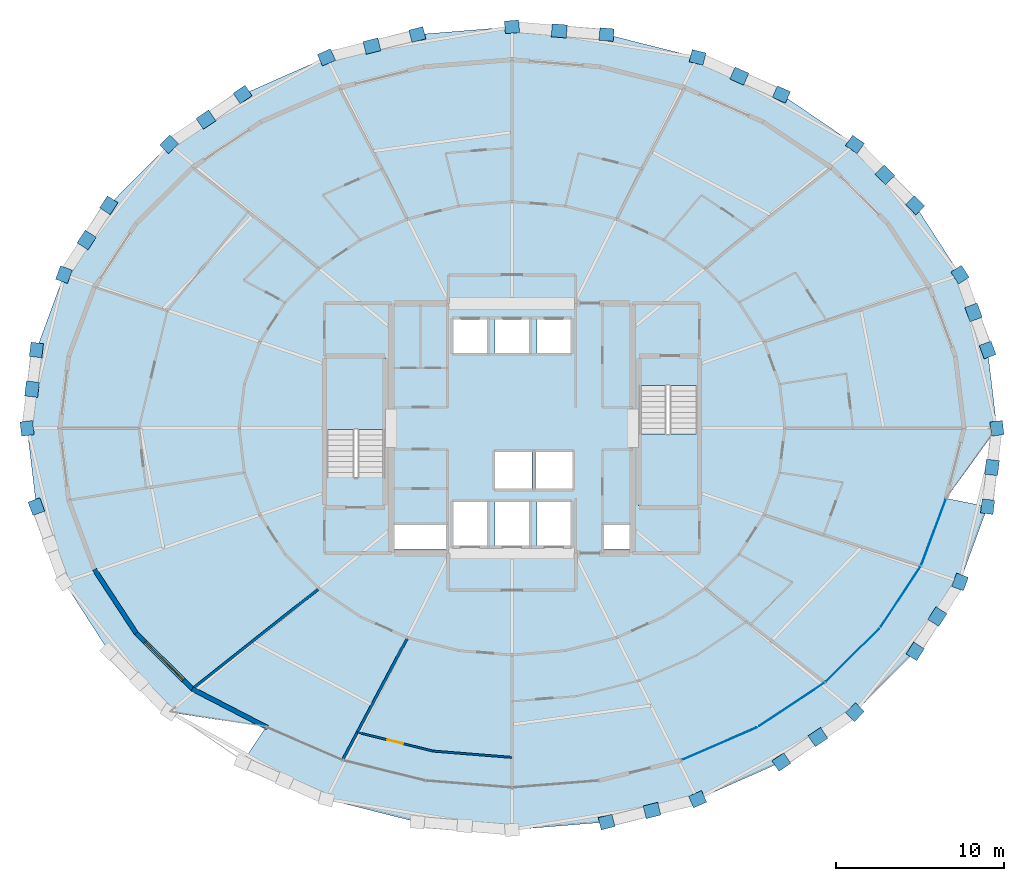
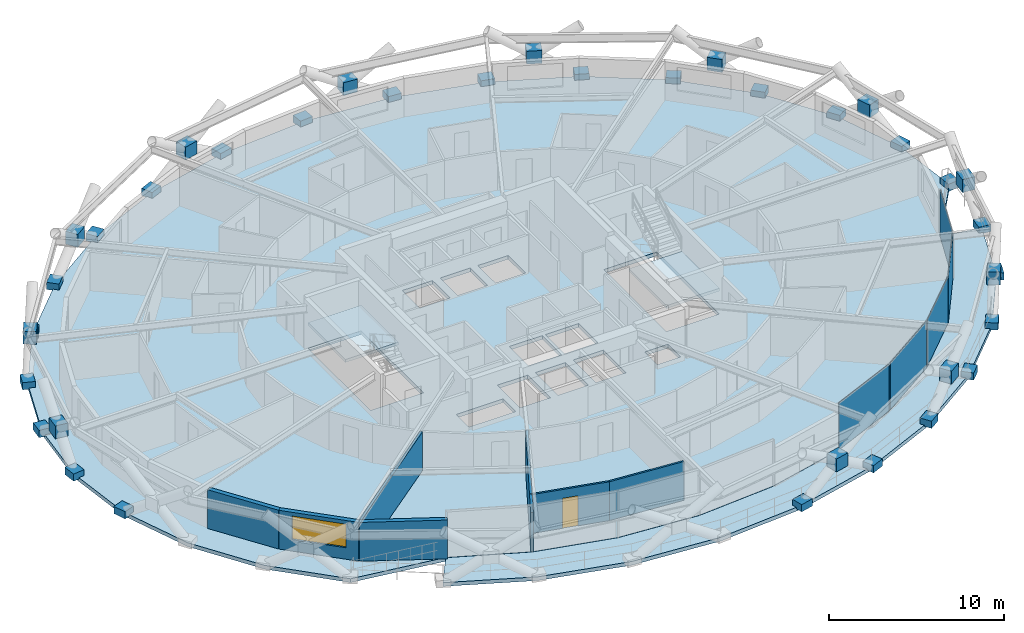
# One storey, part 13 of 21: 42 plates, 7 walls, 4 slabs, 1 door, 1 window, 2 openings, 3 elements without a shape of their own.
"""IFC4 building model written with IfcOpenShell, lengths in metres."""

from ifc_helpers import new_model, si_unit, direction, frame, frame_2d, origin, origin_2d, place, context, subcontext, project, spatial, polyline, rectangle, outline, extrude, material, layer, layer_set, type_object, element, fill, aggregate, save


model = new_model("IFC4")

# Units and contexts
model_context = context("Model", 3, precision=1e-05, world=origin(), true_north=direction((0.0, 1.0)))
body_context = subcontext(model_context, "Body", "Model", "MODEL_VIEW")
ifc_project = project(units=[si_unit("LENGTHUNIT", "METRE"), si_unit("AREAUNIT", "SQUARE_METRE"), si_unit("VOLUMEUNIT", "CUBIC_METRE"), si_unit("PLANEANGLEUNIT", "RADIAN"), si_unit("MASSUNIT", "GRAM", prefix="KILO")], contexts=[model_context])

# Site, building, storey
site_placement = place(None, origin())
site = spatial("IfcSite", under=ifc_project, at=site_placement, CompositionType="ELEMENT")
building_placement = place(site_placement, origin())
building = spatial("IfcBuilding", under=site, at=building_placement, Name="Veldorina Hangang Commons", CompositionType="ELEMENT")
storey_placement = place(building_placement, frame((0.0, 0.0, 91.60009765625)))
storey = spatial("IfcBuildingStorey", under=building, at=storey_placement, Name="L23", CompositionType="ELEMENT", Elevation=91.60009765625)

# Curtain wall, plates
ifc_material_1 = material(Name="Glass Low-E Triple IGU", Category="glass")
ifc_layer_1 = layer(ifc_material_1, 0.179931640625)
ifc_layer_set_1 = layer_set([ifc_layer_1], Name="Glass Low-E Triple IGU")
curtain_wall_type = type_object("IfcCurtainWallType", Name="CW-SYS-Z1", PredefinedType="NOTDEFINED", material=ifc_layer_set_1)
curtain_wall_placement = place(storey_placement, origin())
curtain_wall = element("IfcCurtainWall", 1, at=curtain_wall_placement, inside=storey, type_object=curtain_wall_type, Name="L23 unitised curtain wall CW-L23-R2", PredefinedType="NOTDEFINED")
ifc_layer_2 = layer(ifc_material_1, 0.0400390625)
ifc_layer_set_2 = layer_set([ifc_layer_2], Name="Glass Low-E Triple IGU")
plate_type_1 = type_object("IfcPlateType", Name="CW-PNL-VIS", PredefinedType="CURTAIN_PANEL", material=ifc_layer_set_2)
plate_1_placement = place(storey_placement, frame((44.385498046875, 5.19580078125, 0.014892578125), z_axis=(0.0, 0.0, 1.0), x_axis=(0.917414644732, 0.397932619462, 0.0)))
plate_1 = element("IfcPlate", 2, at=plate_1_placement, type_object=plate_type_1, Name="CW-L23-R2 facet 1 glazed vision panel", PredefinedType="CURTAIN_PANEL", context=body_context, shape_type="SweptSolid", body=[
    extrude(rectangle(XDim=4.79541015625, YDim=0.0400390625, at=origin_2d()), origin(), (0.0, 0.0, 1.0), 3.27001953125),
])
plate_2_placement = place(storey_placement, frame((48.668212890625, 7.51806640625, 0.014892578125), z_axis=(0.0, 0.0, 1.0), x_axis=(0.832321925888, 0.55429253259, 0.0)))
plate_2 = element("IfcPlate", 3, at=plate_2_placement, type_object=plate_type_1, Name="CW-L23-R2 facet 2 glazed vision panel", PredefinedType="CURTAIN_PANEL", context=body_context, shape_type="SweptSolid", body=[
    extrude(rectangle(XDim=4.626708984375, YDim=0.0400390625, at=origin_2d()), origin(), (0.0, 0.0, 1.0), 3.27001953125),
])
plate_3_placement = place(storey_placement, frame((52.310302734375, 10.473388671875, 0.014892578125), z_axis=(0.0, 0.0, 1.0), x_axis=(0.711057233748, 0.703134133957, 0.0)))
plate_3 = element("IfcPlate", 4, at=plate_3_placement, type_object=plate_type_1, Name="CW-L23-R2 facet 3 glazed vision panel", PredefinedType="CURTAIN_PANEL", context=body_context, shape_type="SweptSolid", body=[
    extrude(rectangle(XDim=4.4375, YDim=0.0400390625, at=origin_2d()), origin(), (0.0, 0.0, 1.0), 3.27001953125),
])
plate_4_placement = place(storey_placement, frame((55.171875, 13.948974609375, 0.014892578125), z_axis=(0.0, 0.0, 1.0), x_axis=(0.550072690737, 0.835116779202, 0.0)))
plate_4 = element("IfcPlate", 5, at=plate_4_placement, type_object=plate_type_1, Name="CW-L23-R2 facet 4 glazed vision panel", PredefinedType="CURTAIN_PANEL", context=body_context, shape_type="SweptSolid", body=[
    extrude(rectangle(XDim=4.25537109375, YDim=0.0400390625, at=origin_2d()), origin(), (0.0, 0.0, 1.0), 3.27001953125),
])
plate_5_placement = place(storey_placement, frame((57.14306640625, 17.810546875, 0.014892578125), z_axis=(0.0, 0.0, 1.0), x_axis=(0.350141988351, 0.936696636053, 0.0)))
plate_5 = element("IfcPlate", 6, at=plate_5_placement, type_object=plate_type_1, Name="CW-L23-R2 facet 5 glazed vision panel", PredefinedType="CURTAIN_PANEL", context=body_context, shape_type="SweptSolid", body=[
    extrude(rectangle(XDim=4.11083984375, YDim=0.0400390625, at=origin_2d()), origin(), (0.0, 0.0, 1.0), 3.27001953125),
])
aggregate(curtain_wall, [plate_1, plate_2, plate_3, plate_4, plate_5])

# Plates
ifc_material_2 = material(Name="Steel SM460-TMC", Category="steel")
ifc_layer_3 = layer(ifc_material_2, 0.035888671875)
ifc_layer_set_3 = layer_set([ifc_layer_3], Name="Steel SM460-TMC")
plate_type_2 = type_object("IfcPlateType", Name="PL-STAR-36", PredefinedType="USERDEFINED", material=ifc_layer_set_3)
for number, where, z_axis, x_axis, name in (
    (7, (60.92138671875, 24.0, -0.090087890625), (0.0, 0.0, 1.0), (-0.118126675414, 0.992998534015, 0.0), "L23 diagrid star-node gusset plate 00"),
    (8, (60.36572265625, 28.67138671875, -0.090087890625), (0.0, 0.0, 1.0), (-0.34402025555, 0.93896222702, 0.0), "L23 diagrid star-node gusset plate 01"),
):
    element("IfcPlate", number, at=place(storey_placement, frame(where, z_axis=z_axis, x_axis=x_axis)), inside=storey, type_object=plate_type_2, Name=name, ObjectType="GUSSET PLATE", PredefinedType="USERDEFINED", context=body_context, shape_type="SweptSolid", body=[
        extrude(rectangle(XDim=0.85009765625, YDim=0.75, at=origin_2d()), origin(), (0.0, 0.0, 1.0), 0.5),
    ])
plate_6_placement = place(storey_placement, frame((59.527587890625, 30.9140625, 1.350830078125), z_axis=(0.0, 0.0, 1.0), x_axis=(-0.34402025555, 0.93896222702, 0.0)))
element("IfcPlate", 9, at=plate_6_placement, inside=storey, type_object=plate_type_2, Name="L23 diagrid X-crossing star-node gusset plate 01", ObjectType="GUSSET PLATE", PredefinedType="USERDEFINED", context=body_context, shape_type="SweptSolid", body=[
    extrude(rectangle(XDim=0.89990234375, YDim=0.780029296875, at=origin_2d()), origin(), (0.0, 0.0, 1.0), 0.89990234375),
])
for number, where, z_axis, x_axis, name in (
    (10, (58.719970703125, 33.163330078125, -0.090087890625), (0.0, 0.0, 1.0), (-0.542397548724, 0.84012195492, 0.0), "L23 diagrid star-node gusset plate 02"),
    (11, (56.04736328125, 37.302978515625, -0.090087890625), (0.0, 0.0, 1.0), (-0.703977538272, 0.710222236775, 0.0), "L23 diagrid star-node gusset plate 03"),
):
    element("IfcPlate", number, at=place(storey_placement, frame(where, z_axis=z_axis, x_axis=x_axis)), inside=storey, type_object=plate_type_2, Name=name, ObjectType="GUSSET PLATE", PredefinedType="USERDEFINED", context=body_context, shape_type="SweptSolid", body=[
        extrude(rectangle(XDim=0.85009765625, YDim=0.75, at=origin_2d()), origin(), (0.0, 0.0, 1.0), 0.5),
    ])
plate_7_placement = place(storey_placement, frame((54.236572265625, 39.1103515625, 1.350830078125), z_axis=(0.0, 0.0, 1.0), x_axis=(-0.703977538272, 0.710222236775, 0.0)))
element("IfcPlate", 12, at=plate_7_placement, inside=storey, type_object=plate_type_2, Name="L23 diagrid X-crossing star-node gusset plate 03", ObjectType="GUSSET PLATE", PredefinedType="USERDEFINED", context=body_context, shape_type="SweptSolid", body=[
    extrude(rectangle(XDim=0.89990234375, YDim=0.780029296875, at=origin_2d()), origin(), (0.0, 0.0, 1.0), 0.89990234375),
])
for number, where, z_axis, x_axis, name in (
    (13, (52.45068359375, 40.931640625, -0.090087890625), (0.0, 0.0, 1.0), (-0.827139430973, 0.561996763095, 0.0), "L23 diagrid star-node gusset plate 04"),
    (14, (48.06787109375, 43.909423828125, -0.090087890625), (0.0, 0.0, 1.0), (-0.914451835585, 0.404694749652, 0.0), "L23 diagrid star-node gusset plate 05"),
):
    element("IfcPlate", number, at=place(storey_placement, frame(where, z_axis=z_axis, x_axis=x_axis)), inside=storey, type_object=plate_type_2, Name=name, ObjectType="GUSSET PLATE", PredefinedType="USERDEFINED", context=body_context, shape_type="SweptSolid", body=[
        extrude(rectangle(XDim=0.85009765625, YDim=0.75, at=origin_2d()), origin(), (0.0, 0.0, 1.0), 0.5),
    ])
plate_8_placement = place(storey_placement, frame((45.560302734375, 45.006103515625, 1.350830078125), z_axis=(0.0, 0.0, 1.0), x_axis=(-0.914451835585, 0.404694749652, 0.0)))
element("IfcPlate", 15, at=plate_8_placement, inside=storey, type_object=plate_type_2, Name="L23 diagrid X-crossing star-node gusset plate 05", ObjectType="GUSSET PLATE", PredefinedType="USERDEFINED", context=body_context, shape_type="SweptSolid", body=[
    extrude(rectangle(XDim=0.89990234375, YDim=0.780029296875, at=origin_2d()), origin(), (0.0, 0.0, 1.0), 0.89990234375),
])
for number, where, z_axis, x_axis, name in (
    (16, (43.06787109375, 46.122314453125, -0.090087890625), (0.0, 0.0, 1.0), (-0.969880518462, 0.243581156718, 0.0), "L23 diagrid star-node gusset plate 06"),
    (17, (37.642333984375, 47.48486328125, -0.090087890625), (0.0, 0.0, 1.0), (-0.996691511297, 0.081277495711, 0.0), "L23 diagrid star-node gusset plate 07"),
):
    element("IfcPlate", number, at=place(storey_placement, frame(where, z_axis=z_axis, x_axis=x_axis)), inside=storey, type_object=plate_type_2, Name=name, ObjectType="GUSSET PLATE", PredefinedType="USERDEFINED", context=body_context, shape_type="SweptSolid", body=[
        extrude(rectangle(XDim=0.85009765625, YDim=0.75, at=origin_2d()), origin(), (0.0, 0.0, 1.0), 0.5),
    ])
plate_9_placement = place(storey_placement, frame((34.819580078125, 47.703857421875, 1.350830078125), z_axis=(0.0, 0.0, 1.0), x_axis=(-0.996691511297, 0.081277495711, 0.0)))
element("IfcPlate", 18, at=plate_9_placement, inside=storey, type_object=plate_type_2, Name="L23 diagrid X-crossing star-node gusset plate 07", ObjectType="GUSSET PLATE", PredefinedType="USERDEFINED", context=body_context, shape_type="SweptSolid", body=[
    extrude(rectangle(XDim=0.89990234375, YDim=0.780029296875, at=origin_2d()), origin(), (0.0, 0.0, 1.0), 0.89990234375),
])
for number, where, z_axis, x_axis, name in (
    (19, (32.0, 47.945068359375, -0.090087890625), (0.0, 0.0, 1.0), (-0.996691511297, -0.081277495711, 0.0), "L23 diagrid star-node gusset plate 08"),
    (20, (26.357666015625, 47.48486328125, -0.090087890625), (0.0, 0.0, 1.0), (-0.969880518462, -0.243581156718, 0.0), "L23 diagrid star-node gusset plate 09"),
):
    element("IfcPlate", number, at=place(storey_placement, frame(where, z_axis=z_axis, x_axis=x_axis)), inside=storey, type_object=plate_type_2, Name=name, ObjectType="GUSSET PLATE", PredefinedType="USERDEFINED", context=body_context, shape_type="SweptSolid", body=[
        extrude(rectangle(XDim=0.85009765625, YDim=0.75, at=origin_2d()), origin(), (0.0, 0.0, 1.0), 0.5),
    ])
plate_10_placement = place(storey_placement, frame((23.649658203125, 46.792724609375, 1.350830078125), z_axis=(0.0, 0.0, 1.0), x_axis=(-0.969880518462, -0.243581156718, 0.0)))
element("IfcPlate", 21, at=plate_10_placement, inside=storey, type_object=plate_type_2, Name="L23 diagrid X-crossing star-node gusset plate 09", ObjectType="GUSSET PLATE", PredefinedType="USERDEFINED", context=body_context, shape_type="SweptSolid", body=[
    extrude(rectangle(XDim=0.89990234375, YDim=0.780029296875, at=origin_2d()), origin(), (0.0, 0.0, 1.0), 0.89990234375),
])
for number, where, z_axis, x_axis, name in (
    (22, (20.93212890625, 46.122314453125, -0.090087890625), (0.0, 0.0, 1.0), (-0.914451835585, -0.404694749652, 0.0), "L23 diagrid star-node gusset plate 10"),
    (23, (15.93212890625, 43.909423828125, -0.090087890625), (0.0, 0.0, 1.0), (-0.827139430973, -0.561996763095, 0.0), "L23 diagrid star-node gusset plate 11"),
):
    element("IfcPlate", number, at=place(storey_placement, frame(where, z_axis=z_axis, x_axis=x_axis)), inside=storey, type_object=plate_type_2, Name=name, ObjectType="GUSSET PLATE", PredefinedType="USERDEFINED", context=body_context, shape_type="SweptSolid", body=[
        extrude(rectangle(XDim=0.85009765625, YDim=0.75, at=origin_2d()), origin(), (0.0, 0.0, 1.0), 0.5),
    ])
plate_11_placement = place(storey_placement, frame((13.7509765625, 42.411865234375, 1.350830078125), z_axis=(0.0, 0.0, 1.0), x_axis=(-0.827139430973, -0.561996763095, 0.0)))
element("IfcPlate", 24, at=plate_11_placement, inside=storey, type_object=plate_type_2, Name="L23 diagrid X-crossing star-node gusset plate 11", ObjectType="GUSSET PLATE", PredefinedType="USERDEFINED", context=body_context, shape_type="SweptSolid", body=[
    extrude(rectangle(XDim=0.89990234375, YDim=0.780029296875, at=origin_2d()), origin(), (0.0, 0.0, 1.0), 0.89990234375),
])
for number, where, z_axis, x_axis, name in (
    (25, (11.54931640625, 40.931640625, -0.090087890625), (0.0, 0.0, 1.0), (-0.703977538272, -0.710222236775, 0.0), "L23 diagrid star-node gusset plate 12"),
    (26, (7.95263671875, 37.302978515625, -0.090087890625), (0.0, 0.0, 1.0), (-0.542397548724, -0.84012195492, 0.0), "L23 diagrid star-node gusset plate 13"),
):
    element("IfcPlate", number, at=place(storey_placement, frame(where, z_axis=z_axis, x_axis=x_axis)), inside=storey, type_object=plate_type_2, Name=name, ObjectType="GUSSET PLATE", PredefinedType="USERDEFINED", context=body_context, shape_type="SweptSolid", body=[
        extrude(rectangle(XDim=0.85009765625, YDim=0.75, at=origin_2d()), origin(), (0.0, 0.0, 1.0), 0.5),
    ])
plate_12_placement = place(storey_placement, frame((6.630615234375, 35.227783203125, 1.350830078125), z_axis=(0.0, 0.0, 1.0), x_axis=(-0.542397548724, -0.84012195492, 0.0)))
element("IfcPlate", 27, at=plate_12_placement, inside=storey, type_object=plate_type_2, Name="L23 diagrid X-crossing star-node gusset plate 13", ObjectType="GUSSET PLATE", PredefinedType="USERDEFINED", context=body_context, shape_type="SweptSolid", body=[
    extrude(rectangle(XDim=0.89990234375, YDim=0.780029296875, at=origin_2d()), origin(), (0.0, 0.0, 1.0), 0.89990234375),
])
for number, where, z_axis, x_axis, name in (
    (28, (5.280029296875, 33.163330078125, -0.090087890625), (0.0, 0.0, 1.0), (-0.34402025555, -0.93896222702, 0.0), "L23 diagrid star-node gusset plate 14"),
    (29, (3.63427734375, 28.67138671875, -0.090087890625), (0.0, 0.0, 1.0), (-0.118126675414, -0.992998534015, 0.0), "L23 diagrid star-node gusset plate 15"),
):
    element("IfcPlate", number, at=place(storey_placement, frame(where, z_axis=z_axis, x_axis=x_axis)), inside=storey, type_object=plate_type_2, Name=name, ObjectType="GUSSET PLATE", PredefinedType="USERDEFINED", context=body_context, shape_type="SweptSolid", body=[
        extrude(rectangle(XDim=0.85009765625, YDim=0.75, at=origin_2d()), origin(), (0.0, 0.0, 1.0), 0.5),
    ])
plate_13_placement = place(storey_placement, frame((3.372314453125, 26.334716796875, 1.350830078125), z_axis=(0.0, 0.0, 1.0), x_axis=(-0.118126675414, -0.992998534015, 0.0)))
element("IfcPlate", 30, at=plate_13_placement, inside=storey, type_object=plate_type_2, Name="L23 diagrid X-crossing star-node gusset plate 15", ObjectType="GUSSET PLATE", PredefinedType="USERDEFINED", context=body_context, shape_type="SweptSolid", body=[
    extrude(rectangle(XDim=0.89990234375, YDim=0.780029296875, at=origin_2d()), origin(), (0.0, 0.0, 1.0), 0.89990234375),
])
for number, where, z_axis, x_axis, name in (
    (31, (3.07861328125, 24.0, -0.090087890625), (0.0, 0.0, 1.0), (0.118126675414, -0.992998534015, 0.0), "L23 diagrid star-node gusset plate 16"),
    (32, (3.63427734375, 19.32861328125, -0.090087890625), (0.0, 0.0, 1.0), (0.34402025555, -0.93896222702, 0.0), "L23 diagrid star-node gusset plate 17"),
    (33, (37.642333984375, 0.51513671875, -0.090087890625), (0.0, 0.0, 1.0), (0.969880518462, 0.243581156718, 0.0), "L23 diagrid star-node gusset plate 25"),
):
    element("IfcPlate", number, at=place(storey_placement, frame(where, z_axis=z_axis, x_axis=x_axis)), inside=storey, type_object=plate_type_2, Name=name, ObjectType="GUSSET PLATE", PredefinedType="USERDEFINED", context=body_context, shape_type="SweptSolid", body=[
        extrude(rectangle(XDim=0.85009765625, YDim=0.75, at=origin_2d()), origin(), (0.0, 0.0, 1.0), 0.5),
    ])
plate_14_placement = place(storey_placement, frame((40.350341796875, 1.207275390625, 1.350830078125), z_axis=(0.0, 0.0, 1.0), x_axis=(0.969880518462, 0.243581156718, 0.0)))
element("IfcPlate", 34, at=plate_14_placement, inside=storey, type_object=plate_type_2, Name="L23 diagrid X-crossing star-node gusset plate 25", ObjectType="GUSSET PLATE", PredefinedType="USERDEFINED", context=body_context, shape_type="SweptSolid", body=[
    extrude(rectangle(XDim=0.89990234375, YDim=0.780029296875, at=origin_2d()), origin(), (0.0, 0.0, 1.0), 0.89990234375),
])
for number, where, z_axis, x_axis, name in (
    (35, (43.06787109375, 1.877685546875, -0.090087890625), (0.0, 0.0, 1.0), (0.914451835585, 0.404694749652, 0.0), "L23 diagrid star-node gusset plate 26"),
    (36, (48.06787109375, 4.090576171875, -0.090087890625), (0.0, 0.0, 1.0), (0.827139430973, 0.561996763095, 0.0), "L23 diagrid star-node gusset plate 27"),
):
    element("IfcPlate", number, at=place(storey_placement, frame(where, z_axis=z_axis, x_axis=x_axis)), inside=storey, type_object=plate_type_2, Name=name, ObjectType="GUSSET PLATE", PredefinedType="USERDEFINED", context=body_context, shape_type="SweptSolid", body=[
        extrude(rectangle(XDim=0.85009765625, YDim=0.75, at=origin_2d()), origin(), (0.0, 0.0, 1.0), 0.5),
    ])
plate_15_placement = place(storey_placement, frame((50.2490234375, 5.588134765625, 1.350830078125), z_axis=(0.0, 0.0, 1.0), x_axis=(0.827139430973, 0.561996763095, 0.0)))
element("IfcPlate", 37, at=plate_15_placement, inside=storey, type_object=plate_type_2, Name="L23 diagrid X-crossing star-node gusset plate 27", ObjectType="GUSSET PLATE", PredefinedType="USERDEFINED", context=body_context, shape_type="SweptSolid", body=[
    extrude(rectangle(XDim=0.89990234375, YDim=0.780029296875, at=origin_2d()), origin(), (0.0, 0.0, 1.0), 0.89990234375),
])
for number, where, z_axis, x_axis, name in (
    (38, (52.45068359375, 7.068359375, -0.090087890625), (0.0, 0.0, 1.0), (0.703977538272, 0.710222236775, 0.0), "L23 diagrid star-node gusset plate 28"),
    (39, (56.04736328125, 10.697021484375, -0.090087890625), (0.0, 0.0, 1.0), (0.542397548724, 0.84012195492, 0.0), "L23 diagrid star-node gusset plate 29"),
):
    element("IfcPlate", number, at=place(storey_placement, frame(where, z_axis=z_axis, x_axis=x_axis)), inside=storey, type_object=plate_type_2, Name=name, ObjectType="GUSSET PLATE", PredefinedType="USERDEFINED", context=body_context, shape_type="SweptSolid", body=[
        extrude(rectangle(XDim=0.85009765625, YDim=0.75, at=origin_2d()), origin(), (0.0, 0.0, 1.0), 0.5),
    ])
plate_16_placement = place(storey_placement, frame((57.369384765625, 12.772216796875, 1.350830078125), z_axis=(0.0, 0.0, 1.0), x_axis=(0.542397548724, 0.84012195492, 0.0)))
element("IfcPlate", 40, at=plate_16_placement, inside=storey, type_object=plate_type_2, Name="L23 diagrid X-crossing star-node gusset plate 29", ObjectType="GUSSET PLATE", PredefinedType="USERDEFINED", context=body_context, shape_type="SweptSolid", body=[
    extrude(rectangle(XDim=0.89990234375, YDim=0.780029296875, at=origin_2d()), origin(), (0.0, 0.0, 1.0), 0.89990234375),
])
for number, where, z_axis, x_axis, name in (
    (41, (58.719970703125, 14.836669921875, -0.090087890625), (0.0, 0.0, 1.0), (0.34402025555, 0.93896222702, 0.0), "L23 diagrid star-node gusset plate 30"),
    (42, (60.36572265625, 19.32861328125, -0.090087890625), (0.0, 0.0, 1.0), (0.118126675414, 0.992998534015, 0.0), "L23 diagrid star-node gusset plate 31"),
):
    element("IfcPlate", number, at=place(storey_placement, frame(where, z_axis=z_axis, x_axis=x_axis)), inside=storey, type_object=plate_type_2, Name=name, ObjectType="GUSSET PLATE", PredefinedType="USERDEFINED", context=body_context, shape_type="SweptSolid", body=[
        extrude(rectangle(XDim=0.85009765625, YDim=0.75, at=origin_2d()), origin(), (0.0, 0.0, 1.0), 0.5),
    ])
plate_17_placement = place(storey_placement, frame((60.627685546875, 21.665283203125, 1.350830078125), z_axis=(0.0, 0.0, 1.0), x_axis=(0.118126675414, 0.992998534015, 0.0)))
element("IfcPlate", 43, at=plate_17_placement, inside=storey, type_object=plate_type_2, Name="L23 diagrid X-crossing star-node gusset plate 31", ObjectType="GUSSET PLATE", PredefinedType="USERDEFINED", context=body_context, shape_type="SweptSolid", body=[
    extrude(rectangle(XDim=0.89990234375, YDim=0.780029296875, at=origin_2d()), origin(), (0.0, 0.0, 1.0), 0.89990234375),
])

# Slabs
ifc_material_3 = material(Name="Concrete C40/50", Category="concrete")
ifc_layer_4 = layer(ifc_material_3, 0.260009765625)
ifc_layer_set_4 = layer_set([ifc_layer_4], Name="Concrete C40/50")
slab_type_1 = type_object("IfcSlabType", Name="SL-FLR-260", PredefinedType="FLOOR", material=ifc_layer_set_4)
slab_1_placement = place(storey_placement, frame((0.0, 0.0, -0.260009765625)))
element("IfcSlab", 44, at=slab_1_placement, inside=storey, type_object=slab_type_1, Name="L23 tower structural floor slab", PredefinedType="FLOOR", context=body_context, shape_type="SweptSolid", body=[
    extrude(outline(polyline([(60.92138671875, 24.0), (60.36572265625, 28.67138671875), (58.719970703125, 33.163330078125), (56.04736328125, 37.302978515625), (52.45068359375, 40.931640625), (48.06787109375, 43.909423828125), (43.06787109375, 46.122314453125), (37.642333984375, 47.48486328125), (32.0, 47.945068359375), (26.357666015625, 47.48486328125), (20.93212890625, 46.122314453125), (15.93212890625, 43.909423828125), (11.54931640625, 40.931640625), (7.95263671875, 37.302978515625), (5.280029296875, 33.163330078125), (3.63427734375, 28.67138671875), (3.07861328125, 24.0), (3.63427734375, 19.32861328125), (5.280029296875, 14.836669921875), (7.95263671875, 10.697021484375), (11.54931640625, 7.068359375), (17.33203125, 6.185791015625), (21.896484375, 4.205810546875), (26.849365234375, 2.98681640625), (32.0, 2.574951171875), (37.150634765625, 2.98681640625), (42.103515625, 4.205810546875), (46.66796875, 6.185791015625), (50.668701171875, 8.85009765625), (53.951904296875, 12.096923828125), (56.391845703125, 15.801025390625), (57.894287109375, 19.8203125), (60.92138671875, 24.0)]), holes=[polyline([(20.949951171875, 21.05810546875), (20.949951171875, 28.199951171875), (24.449951171875, 28.199951171875), (24.449951171875, 21.05810546875), (20.949951171875, 21.05810546875)]), polyline([(43.050048828125, 26.5419921875), (43.050048828125, 19.39990234375), (39.550048828125, 19.39990234375), (39.550048828125, 26.5419921875), (43.050048828125, 26.5419921875)]), polyline([(28.5, 30.5), (30.5, 30.5), (30.5, 28.5), (28.5, 28.5), (28.5, 30.5)]), polyline([(31.0, 30.5), (33.0, 30.5), (33.0, 28.5), (31.0, 28.5), (31.0, 30.5)]), polyline([(33.5, 30.5), (35.5, 30.5), (35.5, 28.5), (33.5, 28.5), (33.5, 30.5)]), polyline([(31.0, 22.60009765625), (33.199951171875, 22.60009765625), (33.199951171875, 20.39990234375), (31.0, 20.39990234375), (31.0, 22.60009765625)]), polyline([(33.39990234375, 22.60009765625), (35.60009765625, 22.60009765625), (35.60009765625, 20.39990234375), (33.39990234375, 20.39990234375), (33.39990234375, 22.60009765625)]), polyline([(28.5, 19.60009765625), (30.5, 19.60009765625), (30.5, 17.0), (28.5, 17.0), (28.5, 19.60009765625)]), polyline([(31.0, 19.60009765625), (33.0, 19.60009765625), (33.0, 17.0), (31.0, 17.0), (31.0, 19.60009765625)]), polyline([(33.5, 19.60009765625), (35.5, 19.60009765625), (35.5, 17.0), (33.5, 17.0), (33.5, 19.60009765625)]), polyline([(25.0, 18.25), (28.10009765625, 18.25), (28.10009765625, 16.800048828125), (25.0, 16.800048828125), (25.0, 18.25)]), polyline([(37.449951171875, 18.25), (39.0, 18.25), (39.0, 16.800048828125), (37.449951171875, 16.800048828125), (37.449951171875, 18.25)])]), origin(), (0.0, 0.0, 1.0), 0.260009765625),
])
slab_2_placement = place(storey_placement, frame((0.0, 0.0, -0.260009765625)))
element("IfcSlab", 45, at=slab_2_placement, inside=storey, type_object=slab_type_1, Name="L23 sky-garden loggia outdoor slab", PredefinedType="FLOOR", context=body_context, shape_type="SweptSolid", body=[
    extrude(outline(polyline([(60.36572265625, 19.32861328125), (58.719970703125, 14.836669921875), (56.04736328125, 10.697021484375), (52.45068359375, 7.068359375), (48.06787109375, 4.090576171875), (43.06787109375, 1.877685546875), (37.642333984375, 0.51513671875), (32.0, 0.054931640625), (26.357666015625, 0.51513671875), (20.93212890625, 1.877685546875), (15.93212890625, 4.090576171875), (17.322998046875, 6.172119140625), (17.327880859375, 6.17138671875), (21.890625, 4.192138671875), (21.891845703125, 4.191650390625), (21.89306640625, 4.19140625), (26.845703125, 2.97216796875), (26.846923828125, 2.971923828125), (26.84814453125, 2.9716796875), (31.998779296875, 2.56005859375), (32.0, 2.56005859375), (32.001220703125, 2.56005859375), (37.15185546875, 2.9716796875), (37.153076171875, 2.971923828125), (37.154296875, 2.97216796875), (42.10693359375, 4.19140625), (42.108154296875, 4.191650390625), (42.109375, 4.192138671875), (46.673828125, 6.172119140625), (46.675048828125, 6.172607421875), (46.67626953125, 6.17333984375), (50.677001953125, 8.837646484375), (50.67822265625, 8.838623046875), (50.67919921875, 8.839599609375), (53.96240234375, 12.086181640625), (53.963623046875, 12.08740234375), (53.964599609375, 12.088623046875), (56.404296875, 15.792724609375), (56.4052734375, 15.794189453125), (56.406005859375, 15.795654296875), (57.907470703125, 19.81298828125), (57.910400390625, 19.81689453125), (60.36572265625, 19.32861328125)])), origin(), (0.0, 0.0, 1.0), 0.260009765625),
])

# Stair, slab
stair_type = type_object("IfcStairType", Name="STR-DOG-1650-20R", PredefinedType="HALF_TURN_STAIR", material=ifc_material_3)
stair_1_placement = place(storey_placement, origin())
stair_1 = element("IfcStair", 46, at=stair_1_placement, inside=storey, type_object=stair_type, Name="L23 Exit stair ST-1", PredefinedType="HALF_TURN_STAIR")
ifc_layer_5 = layer(ifc_material_3, 0.199951171875)
ifc_layer_set_5 = layer_set([ifc_layer_5], Name="Concrete C40/50")
slab_type_2 = type_object("IfcSlabType", Name="SL-LND-200", PredefinedType="LANDING", material=ifc_layer_set_5)
slab_3_placement = place(storey_placement, frame((0.0, 0.0, 1.599853515625)))
slab_3 = element("IfcSlab", 47, at=slab_3_placement, type_object=slab_type_2, Name="ST-1 landing 1", PredefinedType="LANDING", context=body_context, shape_type="SweptSolid", body=[
    extrude(outline(polyline([(24.449951171875, 23.929931640625), (24.449951171875, 28.199951171875), (20.949951171875, 28.199951171875), (20.949951171875, 23.929931640625), (24.449951171875, 23.929931640625)])), origin(), (0.0, 0.0, 1.0), 0.199951171875),
])
aggregate(stair_1, [slab_3])

stair_2_placement = place(storey_placement, origin())
stair_2 = element("IfcStair", 48, at=stair_2_placement, inside=storey, type_object=stair_type, Name="L23 Exit stair ST-2", PredefinedType="HALF_TURN_STAIR")
slab_4_placement = place(storey_placement, frame((0.0, 0.0, 1.599853515625)))
slab_4 = element("IfcSlab", 49, at=slab_4_placement, type_object=slab_type_2, Name="ST-2 landing 1", PredefinedType="LANDING", context=body_context, shape_type="SweptSolid", body=[
    extrude(outline(polyline([(39.550048828125, 23.669921875), (39.550048828125, 19.39990234375), (43.050048828125, 19.39990234375), (43.050048828125, 23.669921875), (39.550048828125, 23.669921875)])), origin(), (0.0, 0.0, 1.0), 0.199951171875),
])
aggregate(stair_2, [slab_4])

# Wall
ifc_material_4 = material(Name="Stone Roman Travertine", Category="masonry")
ifc_layer_6 = layer(ifc_material_4, 0.280029296875)
ifc_layer_set_6 = layer_set([ifc_layer_6], Name="Stone Roman Travertine")
wall_type_1 = type_object("IfcWallType", Name="EW-TRAV-280", PredefinedType="STANDARD", material=ifc_layer_set_6)
wall_1_placement = place(storey_placement, frame((7.0908203125, 15.586669921875, 0.0), z_axis=(0.0, 0.0, 1.0), x_axis=(0.548224545432, -0.836331183076, 0.0)))
element("IfcWall", 50, at=wall_1_placement, inside=storey, type_object=wall_type_1, Name="L23 travertine facade wall 18", PredefinedType="STANDARD", context=body_context, shape_type="SweptSolid", body=[
    extrude(rectangle(XDim=4.544677734375, YDim=0.280029296875, at=frame_2d((2.2724609375, 0.0))), origin(), (0.0, 0.0, 1.0), 2.7099609375),
])

# Wall, opening, window
wall_2_placement = place(storey_placement, frame((9.582275390625, 11.785888671875, 0.0), z_axis=(0.0, 0.0, 1.0), x_axis=(0.709375776042, -0.704830482006, 0.0)))
wall_2 = element("IfcWall", 51, at=wall_2_placement, inside=storey, type_object=wall_type_1, Name="L23 travertine facade wall 19", PredefinedType="STANDARD", context=body_context, shape_type="SweptSolid", body=[
    extrude(rectangle(XDim=4.726806640625, YDim=0.280029296875, at=frame_2d((2.36328125, 0.0))), origin(), (0.0, 0.0, 1.0), 2.7099609375),
])
opening_1_placement = place(wall_2_placement, frame((0.76318359375, 0.0, 0.800048828125)))
opening_1 = element("IfcOpeningElement", 52, at=opening_1_placement, cuts=wall_2, Name="Opening W-01", PredefinedType="OPENING", context=body_context, shape_type="SweptSolid", body=[
    extrude(rectangle(XDim=3.199951171875, YDim=1.64990234375, at=frame_2d((1.60009765625, 0.824951171875))), frame((0.0, 0.14990234375, 0.0), z_axis=(0.0, -1.0, 0.0), x_axis=(1.0, 0.0, 0.0)), (0.0, 0.0, 1.0), 0.300048828125),
])
window_type = type_object("IfcWindowType", Name="WIN-TWR-3200", PartitioningType="SINGLE_PANEL", PredefinedType="WINDOW", material=ifc_material_1)
window_placement = place(opening_1_placement, origin())
window = element("IfcWindow", 53, at=window_placement, inside=storey, type_object=window_type, Name="L23 facade window 19", OverallHeight=1.64990234375, OverallWidth=3.199951171875, PartitioningType="SINGLE_PANEL", PredefinedType="WINDOW", context=body_context, shape_type="SweptSolid", body=[
    extrude(rectangle(XDim=3.199951171875, YDim=1.64990234375, at=frame_2d((1.60009765625, 0.824951171875))), frame((0.0, 0.030029296875, 0.0), z_axis=(0.0, -1.0, 0.0), x_axis=(1.0, 0.0, 0.0)), (0.0, 0.0, 1.0), 0.06005859375),
])
fill(opening_1, window)

# Walls
wall_3_placement = place(storey_placement, frame((12.935302734375, 8.454345703125, 0.0), z_axis=(0.0, 0.0, 1.0), x_axis=(0.888677335441, -0.458533088745, 0.0)))
element("IfcWall", 54, at=wall_3_placement, inside=storey, type_object=wall_type_1, Name="L23 travertine facade wall 20", PredefinedType="STANDARD", context=body_context, shape_type="SweptSolid", body=[
    extrude(rectangle(XDim=5.03955078125, YDim=0.280029296875, at=frame_2d((2.519775390625, 0.0))), origin(), (0.0, 0.0, 1.0), 2.7099609375),
])
ifc_material_5 = material(Name="Gypsum Fire-Rated Twin Stud Wall", Category="gypsum")
ifc_layer_7 = layer(ifc_material_5, 0.159912109375)
ifc_layer_set_7 = layer_set([ifc_layer_7], Name="Gypsum Fire-Rated Twin Stud Wall")
wall_type_2 = type_object("IfcWallType", Name="WL-FIRE-160", PredefinedType="SOLIDWALL", material=ifc_layer_set_7)
wall_4_placement = place(storey_placement, frame((20.492431640625, 14.44140625, 0.0), z_axis=(0.0, 0.0, 1.0), x_axis=(-0.783820213827, -0.620987819846, 0.0)))
element("IfcWall", 55, at=wall_4_placement, inside=storey, type_object=wall_type_2, Name="L23 Unit party wall 20 118", PredefinedType="SOLIDWALL", context=body_context, shape_type="SweptSolid", body=[
    extrude(rectangle(XDim=9.59130859375, YDim=0.159912109375, at=frame_2d((4.795654296875, 0.0))), origin(), (0.0, 0.0, 1.0), 2.7099609375),
])
wall_5_placement = place(storey_placement, frame((25.772216796875, 11.510986328125, 0.0), z_axis=(0.0, 0.0, 1.0), x_axis=(-0.468670871714, -0.88337286239, 0.0)))
element("IfcWall", 56, at=wall_5_placement, inside=storey, type_object=wall_type_2, Name="L23 Unit party wall 22 119", PredefinedType="SOLIDWALL", context=body_context, shape_type="SweptSolid", body=[
    extrude(rectangle(XDim=8.2197265625, YDim=0.159912109375, at=frame_2d((4.10986328125, 0.0))), origin(), (0.0, 0.0, 1.0), 2.7099609375),
])

# Wall, opening, door
ifc_material_6 = material(Name="Gypsum Acoustic Stud Partition", Category="gypsum")
ifc_layer_8 = layer(ifc_material_6, 0.1201171875)
ifc_layer_set_8 = layer_set([ifc_layer_8], Name="Gypsum Acoustic Stud Partition")
wall_type_3 = type_object("IfcWallType", Name="WL-PART-120", PredefinedType="PARTITIONING", material=ifc_layer_set_8)
wall_6_placement = place(storey_placement, frame((22.777587890625, 5.86669921875, 0.0), z_axis=(0.0, 0.0, 1.0), x_axis=(0.970811050134, -0.239845585612, 0.0)))
wall_6 = element("IfcWall", 57, at=wall_6_placement, inside=storey, type_object=wall_type_3, Name="L23 Laundry split 0 120", PredefinedType="PARTITIONING", context=body_context, shape_type="SweptSolid", body=[
    extrude(rectangle(XDim=4.656982421875, YDim=0.1201171875, at=frame_2d((2.32861328125, 0.0))), origin(), (0.0, 0.0, 1.0), 2.7099609375),
])
opening_2_placement = place(wall_6_placement, frame((1.853271484375, 0.0, 0.0)))
opening_2 = element("IfcOpeningElement", 58, at=opening_2_placement, cuts=wall_6, Name="Opening D-02", PredefinedType="OPENING", context=body_context, shape_type="SweptSolid", body=[
    extrude(rectangle(XDim=0.949951171875, YDim=2.10009765625, at=frame_2d((0.47509765625, 1.050048828125))), frame((0.0, 0.070068359375, 0.0), z_axis=(0.0, -1.0, 0.0), x_axis=(1.0, 0.0, 0.0)), (0.0, 0.0, 1.0), 0.14013671875),
])
ifc_material_7 = material(Name="Timber Solid Core Acoustic", Category="wood")
door_type = type_object("IfcDoorType", Name="DR-INT-950", OperationType="SINGLE_SWING_LEFT", PredefinedType="DOOR", material=ifc_material_7)
door_placement = place(opening_2_placement, origin())
door = element("IfcDoor", 59, at=door_placement, inside=storey, type_object=door_type, Name="L23 Resident laundry inner door 046", OperationType="SINGLE_SWING_RIGHT", OverallHeight=2.10009765625, OverallWidth=0.949951171875, PredefinedType="DOOR", context=body_context, shape_type="SweptSolid", body=[
    extrude(rectangle(XDim=0.949951171875, YDim=2.10009765625, at=frame_2d((0.47509765625, 1.050048828125))), frame((0.0, 0.02490234375, 0.0), z_axis=(0.0, -1.0, 0.0), x_axis=(1.0, 0.0, 0.0)), (0.0, 0.0, 1.0), 0.050048828125),
])
fill(opening_2, door)

# Wall
wall_7_placement = place(storey_placement, frame((27.298583984375, 4.749755859375, 0.0), z_axis=(0.0, 0.0, 1.0), x_axis=(0.99679698314, -0.079973585655, 0.0)))
element("IfcWall", 60, at=wall_7_placement, inside=storey, type_object=wall_type_3, Name="L23 Laundry split 1 121", PredefinedType="PARTITIONING", context=body_context, shape_type="SweptSolid", body=[
    extrude(rectangle(XDim=4.716552734375, YDim=0.1201171875, at=frame_2d((2.3583984375, 0.0))), origin(), (0.0, 0.0, 1.0), 2.7099609375),
])

save(model, "model.ifc")
